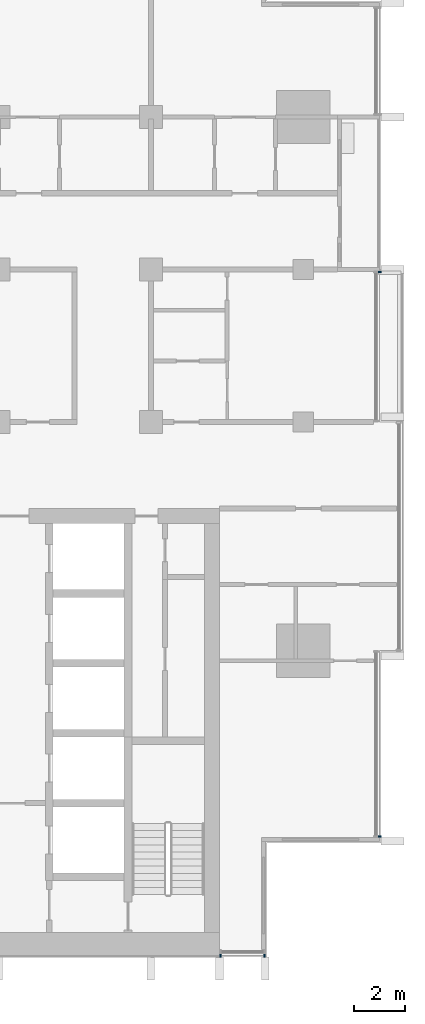
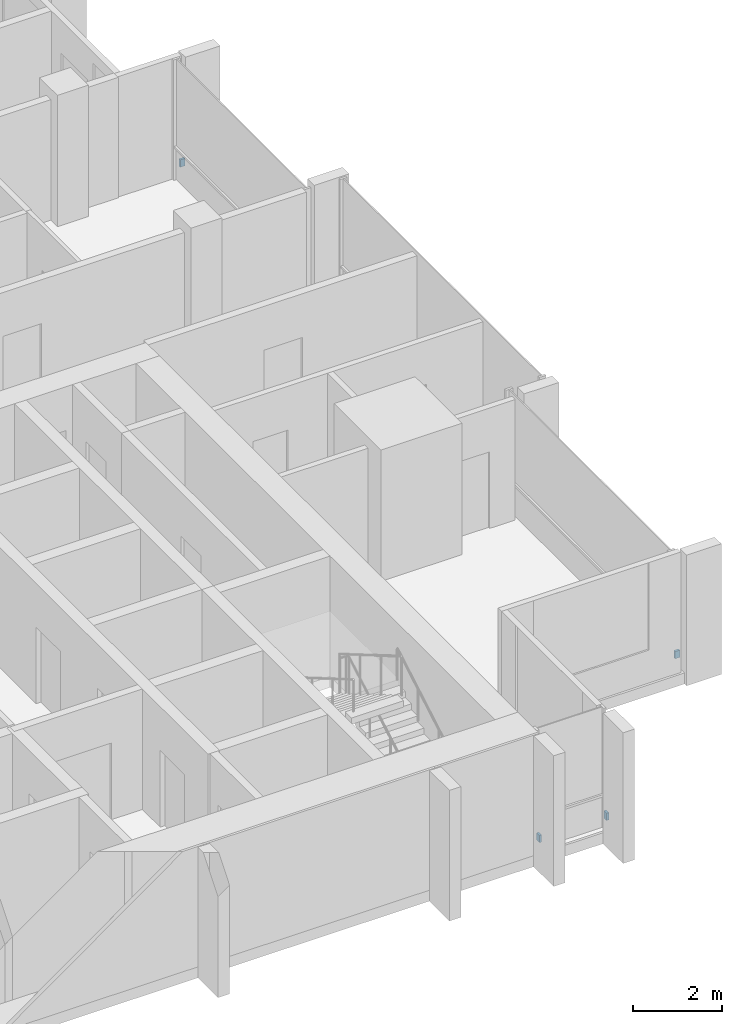
# One storey, part 13 of 16: 4 discrete accessories.
"""IFC4 building model written with IfcOpenShell, lengths in metres."""

from ifc_helpers import new_model, si_unit, direction, frame, origin, origin_2d, place, context, subcontext, project, spatial, rectangle, extrude, material, type_object, element, save


model = new_model("IFC4")

# Units and contexts
model_context = context("Model", 3, precision=1e-05, world=origin(), true_north=direction((0.0, 1.0)))
body_context = subcontext(model_context, "Body", "Model", "MODEL_VIEW")
ifc_project = project(units=[si_unit("LENGTHUNIT", "METRE"), si_unit("AREAUNIT", "SQUARE_METRE"), si_unit("VOLUMEUNIT", "CUBIC_METRE"), si_unit("PLANEANGLEUNIT", "RADIAN"), si_unit("MASSUNIT", "GRAM", prefix="KILO")], contexts=[model_context])

# Site, building, storey
site_placement = place(None, origin())
site = spatial("IfcSite", under=ifc_project, at=site_placement, CompositionType="ELEMENT")
building_placement = place(site_placement, origin())
building = spatial("IfcBuilding", under=site, at=building_placement, Name="Finial Court Residences", CompositionType="ELEMENT")
storey_placement = place(building_placement, frame((0.0, 0.0, 237.5)))
storey = spatial("IfcBuildingStorey", under=building, at=storey_placement, Name="L60", CompositionType="ELEMENT", Elevation=237.5)

# Discrete accessories
ifc_material = material(Name="Stainless steel 316", Category="steel")
discrete_accessory_type = type_object("IfcDiscreteAccessoryType", Name="Fin bracket, stainless steel 60 x 122 x 200", PredefinedType="BRACKET", material=ifc_material)
for number, where, z_axis, x_axis, name in (
    (1, (19.498779296875, -20.820068359375, 0.2998046875), (0.0, 0.0, 1.0), (1.0, 0.0, 0.0), "E-L60-FIN-E7-BRK"),
    (2, (19.498779296875, 1.39501953125, 0.2998046875), (0.0, 0.0, 1.0), (1.0, 0.0, 0.0), "E-L60-FIN-E10-BRK"),
):
    element("IfcDiscreteAccessory", number, at=place(storey_placement, frame(where, z_axis=z_axis, x_axis=x_axis)), inside=storey, type_object=discrete_accessory_type, Name=name, PredefinedType="BRACKET", context=body_context, shape_type="SweptSolid", body=[
        extrude(rectangle(XDim=0.12255859375, YDim=0.06005859375, at=origin_2d()), origin(), (0.0, 0.0, 1.0), 0.199951171875),
    ])
for number, where, z_axis, x_axis, name in (
    (3, (13.22998046875, -25.498779296875, 0.2998046875), (0.0, 0.0, 1.0), (1.0, 0.0, 0.0), "E-L60-FIN-S19-BRK"),
    (4, (14.969970703125, -25.498779296875, 0.2998046875), (0.0, 0.0, 1.0), (1.0, 0.0, 0.0), "E-L60-FIN-S20-BRK"),
):
    element("IfcDiscreteAccessory", number, at=place(storey_placement, frame(where, z_axis=z_axis, x_axis=x_axis)), inside=storey, type_object=discrete_accessory_type, Name=name, PredefinedType="BRACKET", context=body_context, shape_type="SweptSolid", body=[
        extrude(rectangle(XDim=0.06005859375, YDim=0.12255859375, at=origin_2d()), origin(), (0.0, 0.0, 1.0), 0.199951171875),
    ])

save(model, "model.ifc")
